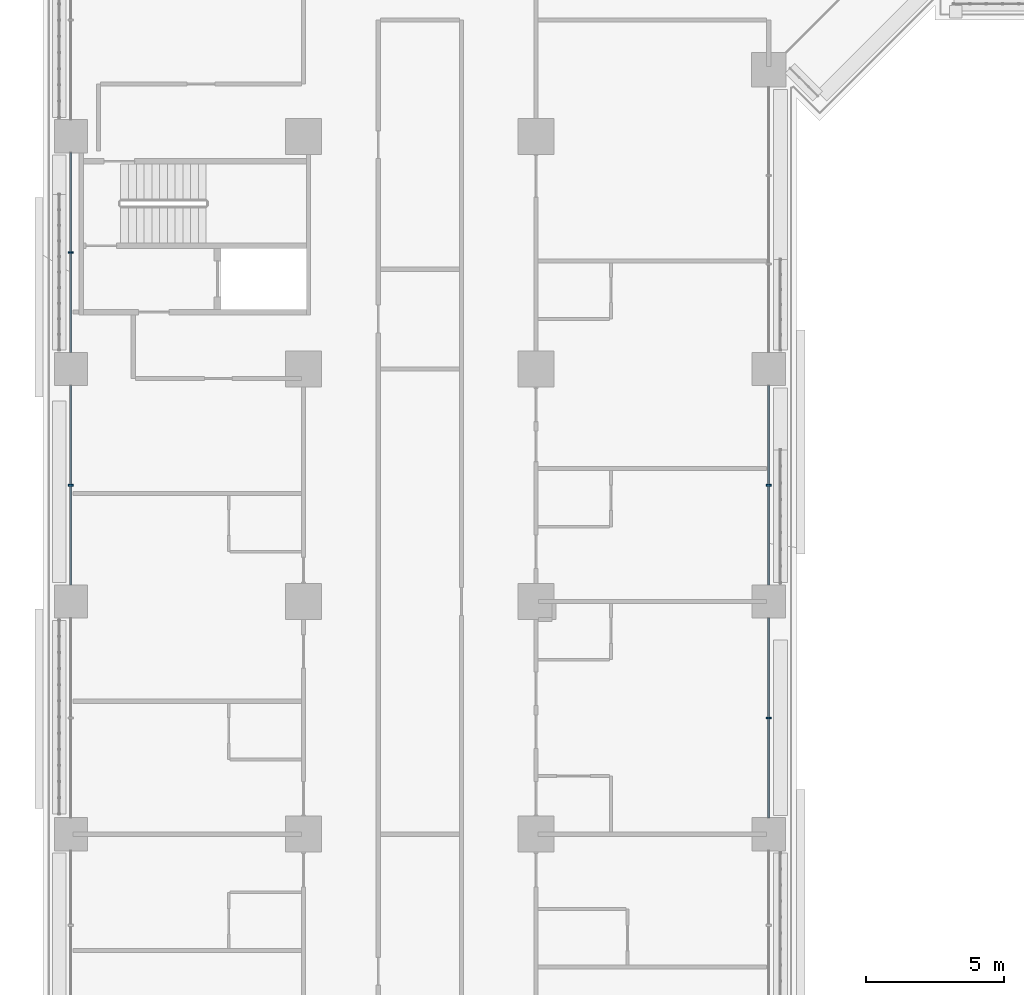
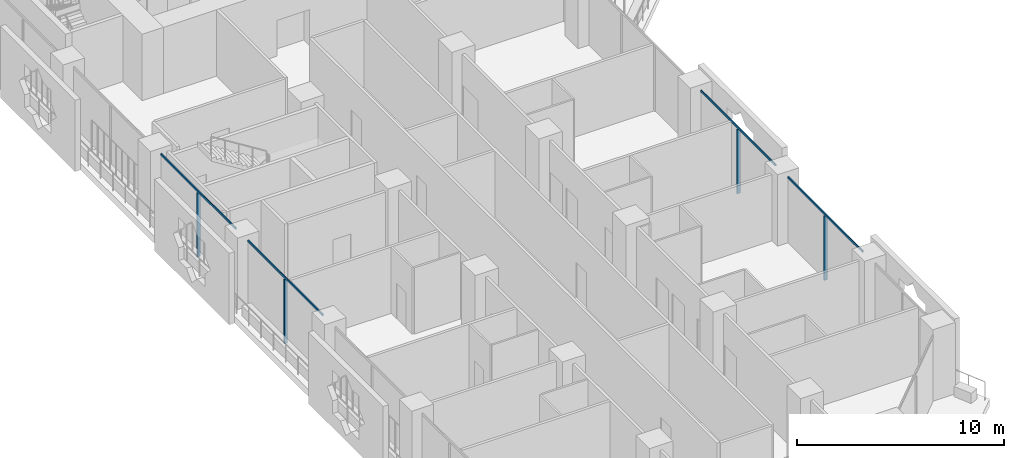
# One storey, part 3 of 28: 8 members, 2 elements without a shape of their own.
"""IFC4 building model written with IfcOpenShell, lengths in metres."""

from ifc_helpers import new_model, si_unit, direction, frame, origin, origin_2d, place, context, subcontext, project, spatial, rectangle, extrude, material, layer, layer_set, material_profile, profile_set, type_object, element, aggregate, save


model = new_model("IFC4")

# Units and contexts
model_context = context("Model", 3, precision=1e-05, world=origin(), true_north=direction((0.0, 1.0)))
body_context = subcontext(model_context, "Body", "Model", "MODEL_VIEW")
ifc_project = project(units=[si_unit("LENGTHUNIT", "METRE"), si_unit("AREAUNIT", "SQUARE_METRE"), si_unit("VOLUMEUNIT", "CUBIC_METRE"), si_unit("PLANEANGLEUNIT", "RADIAN"), si_unit("MASSUNIT", "GRAM", prefix="KILO")], contexts=[model_context])

# Site, building, storey
site_placement = place(None, origin())
site = spatial("IfcSite", under=ifc_project, at=site_placement, CompositionType="ELEMENT")
building_placement = place(site_placement, origin())
building = spatial("IfcBuilding", under=site, at=building_placement, Name="Kawkab Arch Medical Tower", CompositionType="ELEMENT")
storey_placement = place(building_placement, frame((0.0, 0.0, 68.60009765625)))
storey = spatial("IfcBuildingStorey", under=building, at=storey_placement, Name="L15", CompositionType="ELEMENT", Elevation=68.60009765625)

# Curtain wall, members
ifc_material_1 = material(Name="Bronze anodised aluminium curtain wall frame", Category="aluminium")
ifc_layer = layer(ifc_material_1, 0.159912109375)
ifc_layer_set = layer_set([ifc_layer], Name="Bronze anodised aluminium curtain wall frame")
curtain_wall_type = type_object("IfcCurtainWallType", Name="CW1 ward curtain wall", PredefinedType="NOTDEFINED", material=ifc_layer_set)
placement = place(storey_placement, origin())
curtain_wall_1 = element("IfcCurtainWall", 1, at=placement, inside=storey, type_object=curtain_wall_type, Name="CW1 Ward curtain wall R01", PredefinedType="NOTDEFINED")
ifc_material_2 = material(Name="Bronze anodised aluminium curtain wall frame", Category="aluminium")
ifc_material_profile_1 = material_profile(ifc_material_2, rectangle(XDim=0.179931640625, YDim=0.06005859375, at=origin_2d()), Name="AL 60x180")
ifc_profile_set_1 = profile_set([ifc_material_profile_1], Name="Bronze anodised aluminium curtain wall frame")
member_type_1 = type_object("IfcMemberType", Name="CW1 mullion 60 x 180", PredefinedType="MULLION", material=ifc_profile_set_1)
member_1_placement = place(storey_placement, frame((0.0, -37.800048828125, 0.0), z_axis=(0.0, 0.0, 1.0), x_axis=(1.0, 0.0, 0.0)))
member_1 = element("IfcMember", 2, at=member_1_placement, type_object=member_type_1, Name="CW1 mullion 4.1", PredefinedType="MULLION", context=body_context, shape_type="SweptSolid", body=[
    extrude(rectangle(XDim=0.179931640625, YDim=0.06005859375, at=origin_2d()), origin(), (0.0, 0.0, 1.0), 3.77978515625),
])
member_2_placement = place(storey_placement, frame((0.0, -46.199951171875, 0.0), z_axis=(0.0, 0.0, 1.0), x_axis=(1.0, 0.0, 0.0)))
member_2 = element("IfcMember", 3, at=member_2_placement, type_object=member_type_1, Name="CW1 mullion 5.1", PredefinedType="MULLION", context=body_context, shape_type="SweptSolid", body=[
    extrude(rectangle(XDim=0.179931640625, YDim=0.06005859375, at=origin_2d()), origin(), (0.0, 0.0, 1.0), 3.77978515625),
])

curtain_wall_2 = element("IfcCurtainWall", 4, at=placement, inside=storey, type_object=curtain_wall_type, Name="CW1 Ward curtain wall R05", PredefinedType="NOTDEFINED")
member_3_placement = place(storey_placement, frame((25.199951171875, -54.60009765625, 0.0), z_axis=(0.0, 0.0, 1.0), x_axis=(-1.0, 0.0, 0.0)))
member_3 = element("IfcMember", 5, at=member_3_placement, type_object=member_type_1, Name="CW1 mullion 2.1", PredefinedType="MULLION", context=body_context, shape_type="SweptSolid", body=[
    extrude(rectangle(XDim=0.179931640625, YDim=0.06005859375, at=origin_2d()), origin(), (0.0, 0.0, 1.0), 3.77978515625),
])
member_4_placement = place(storey_placement, frame((25.199951171875, -46.199951171875, 0.0), z_axis=(0.0, 0.0, 1.0), x_axis=(-1.0, 0.0, 0.0)))
member_4 = element("IfcMember", 6, at=member_4_placement, type_object=member_type_1, Name="CW1 mullion 3.1", PredefinedType="MULLION", context=body_context, shape_type="SweptSolid", body=[
    extrude(rectangle(XDim=0.179931640625, YDim=0.06005859375, at=origin_2d()), origin(), (0.0, 0.0, 1.0), 3.77978515625),
])

# Member
ifc_material_3 = material(Name="Bronze anodised aluminium curtain wall frame", Category="aluminium")
ifc_material_profile_2 = material_profile(ifc_material_3, rectangle(XDim=0.06005859375, YDim=0.1201171875, at=origin_2d()), Name="AL 60x120")
ifc_profile_set_2 = profile_set([ifc_material_profile_2], Name="Bronze anodised aluminium curtain wall frame")
member_type_2 = type_object("IfcMemberType", Name="CW1 transom 120 x 60", PredefinedType="USERDEFINED", material=ifc_profile_set_2)
member_5_placement = place(storey_placement, frame((0.0, -34.199951171875, 3.83984375), z_axis=(0.0, -1.0, 0.0), x_axis=(1.0, 0.0, 0.0)))
member_5 = element("IfcMember", 7, at=member_5_placement, type_object=member_type_2, Name="CW1 transom 4", ObjectType="TRANSOM", PredefinedType="USERDEFINED", context=body_context, shape_type="SweptSolid", body=[
    extrude(rectangle(XDim=0.06005859375, YDim=0.1201171875, at=origin_2d()), origin(), (0.0, 0.0, 1.0), 7.199951171875),
])

member_6_placement = place(storey_placement, frame((0.0, -42.60009765625, 3.83984375), z_axis=(0.0, -1.0, 0.0), x_axis=(1.0, 0.0, 0.0)))
member_6 = element("IfcMember", 8, at=member_6_placement, type_object=member_type_2, Name="CW1 transom 5", ObjectType="TRANSOM", PredefinedType="USERDEFINED", context=body_context, shape_type="SweptSolid", body=[
    extrude(rectangle(XDim=0.06005859375, YDim=0.1201171875, at=origin_2d()), origin(), (0.0, 0.0, 1.0), 7.199951171875),
])

aggregate(curtain_wall_1, [member_5, member_1, member_6, member_2])

member_7_placement = place(storey_placement, frame((25.199951171875, -58.199951171875, 3.83984375), z_axis=(0.0, 1.0, 0.0), x_axis=(-1.0, 0.0, 0.0)))
member_7 = element("IfcMember", 9, at=member_7_placement, type_object=member_type_2, Name="CW1 transom 2", ObjectType="TRANSOM", PredefinedType="USERDEFINED", context=body_context, shape_type="SweptSolid", body=[
    extrude(rectangle(XDim=0.06005859375, YDim=0.1201171875, at=origin_2d()), origin(), (0.0, 0.0, 1.0), 7.199951171875),
])

member_8_placement = place(storey_placement, frame((25.199951171875, -49.800048828125, 3.83984375), z_axis=(0.0, 1.0, 0.0), x_axis=(-1.0, 0.0, 0.0)))
member_8 = element("IfcMember", 10, at=member_8_placement, type_object=member_type_2, Name="CW1 transom 3", ObjectType="TRANSOM", PredefinedType="USERDEFINED", context=body_context, shape_type="SweptSolid", body=[
    extrude(rectangle(XDim=0.06005859375, YDim=0.1201171875, at=origin_2d()), origin(), (0.0, 0.0, 1.0), 7.199951171875),
])

aggregate(curtain_wall_2, [member_7, member_3, member_8, member_4])

save(model, "model.ifc")
